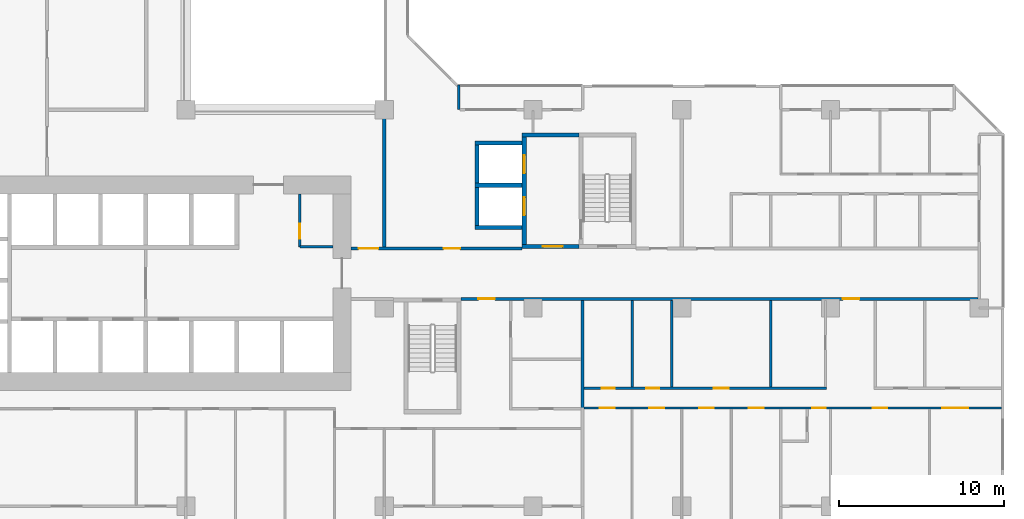
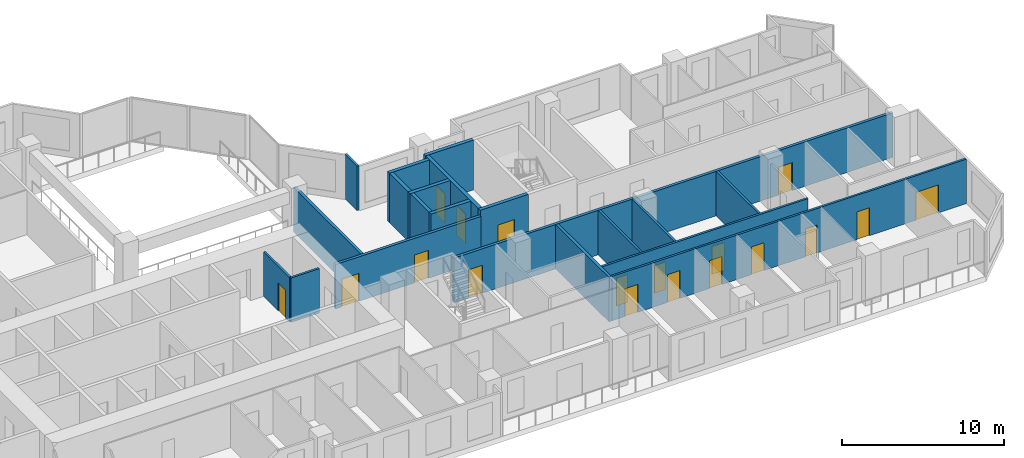
# One storey, part 7 of 16: 20 walls, 18 doors, 18 openings.
"""IFC4 building model written with IfcOpenShell, lengths in metres."""

import ifcopenshell
import ifcopenshell.guid

model = None  # the IFC model being written
_history = None  # IfcOwnerHistory: only IFC2X3 demands one
_inside = {}  # id of a spatial element -> (the spatial element, [elements in it])
_under = {}  # id of a project, library or spatial element -> (it, [spatial elements below it])
_declared = {}  # id of a project -> (the project, [libraries it declares])
_typed = {}  # id of a type object -> (the type object, [elements of that type])
_made_of = {}  # id of a material, layer set ... -> (it, [elements and type objects made of it])


def new_model(schema):
    """Start an empty IFC model of exactly this schema.

    Asked for "IFC4X3", IfcOpenShell would pick the latest addendum, in which some entities
    have other attributes; the version numbers below select the first issue.
    IFC2X3 requires an IfcOwnerHistory on every rooted entity: one is made here for all.
    """
    global model, _history
    if schema == "IFC4X3":
        model = ifcopenshell.file(schema_version=(4, 3, 0, 0))
    else:
        model = ifcopenshell.file(schema=schema)
    _inside.clear()
    _under.clear()
    _declared.clear()
    _typed.clear()
    _made_of.clear()
    _history = None
    if model.schema == "IFC2X3":
        org = make("IfcOrganization", Name="unknown")
        user = make(
            "IfcPersonAndOrganization",
            ThePerson=make("IfcPerson", FamilyName="unknown"),
            TheOrganization=org,
        )
        app = make(
            "IfcApplication",
            ApplicationDeveloper=org,
            Version="unknown",
            ApplicationFullName="unknown",
            ApplicationIdentifier="unknown",
        )
        _history = make(
            "IfcOwnerHistory",
            OwningUser=user,
            OwningApplication=app,
            ChangeAction="ADDED",
            CreationDate=0,
        )
    return model


def make(cls, **values):
    """One entity of the class cls with the attributes given. An attribute that is None is left unset."""
    return model.create_entity(
        cls, **{name: value for name, value in values.items() if value is not None}
    )


def rooted(cls, **values):
    """An entity with a GlobalId (a new one), such as an element, a storey or a relation."""
    return make(cls, GlobalId=ifcopenshell.guid.new(), OwnerHistory=_history, **values)


def si_unit(unit_type, name, prefix=None):
    """IfcSIUnit, for example si_unit("LENGTHUNIT", "METRE", prefix="MILLI")."""
    return make("IfcSIUnit", UnitType=unit_type, Prefix=prefix, Name=name)


def assignment(units):
    """IfcUnitAssignment: the units of a project."""
    return None if units is None else make("IfcUnitAssignment", Units=units)


def point(xyz):
    """IfcCartesianPoint."""
    return None if xyz is None else make("IfcCartesianPoint", Coordinates=xyz)


def direction(xyz):
    """IfcDirection."""
    return None if xyz is None else make("IfcDirection", DirectionRatios=xyz)


def frame(location, z_axis=None, x_axis=None):
    """IfcAxis2Placement3D, a coordinate frame: its origin and axes. An axis left out is left unset."""
    return make(
        "IfcAxis2Placement3D",
        Location=point(location),
        Axis=direction(z_axis),
        RefDirection=direction(x_axis),
    )


def frame_2d(location, x_axis=None):
    """IfcAxis2Placement2D, a coordinate frame in the plane: its origin and x axis."""
    return make(
        "IfcAxis2Placement2D", Location=point(location), RefDirection=direction(x_axis)
    )


def origin():
    """The frame at (0, 0, 0) with its axes left unset."""
    return frame((0.0, 0.0, 0.0))


def place(relative_to, where):
    """IfcLocalPlacement: puts the frame where relative to a parent placement (None: the world)."""
    return make(
        "IfcLocalPlacement", PlacementRelTo=relative_to, RelativePlacement=where
    )


def context(
    kind, dimensions, precision=None, world=None, true_north=None, identifier=None
):
    """IfcGeometricRepresentationContext, for example the 3D "Model" context."""
    return make(
        "IfcGeometricRepresentationContext",
        ContextIdentifier=identifier,
        ContextType=kind,
        CoordinateSpaceDimension=dimensions,
        Precision=precision,
        WorldCoordinateSystem=world,
        TrueNorth=true_north,
    )


def subcontext(parent, identifier, kind, view, scale=None):
    """IfcGeometricRepresentationSubContext, for example "Body" below "Model"."""
    return make(
        "IfcGeometricRepresentationSubContext",
        ContextIdentifier=identifier,
        ContextType=kind,
        ParentContext=parent,
        TargetScale=scale,
        TargetView=view,
    )


def project(units=None, contexts=None):
    """IfcProject with its units and contexts."""
    return rooted(
        "IfcProject",
        Name="project",
        RepresentationContexts=contexts,
        UnitsInContext=assignment(units),
    )


def spatial(cls, under=None, at=None, **own):
    """A site, building, storey or space (cls), placed at a placement, below another one or the project."""
    s = rooted(cls, ObjectPlacement=at, **own)
    if under is not None:
        _under.setdefault(under.id(), (under, []))[1].append(s)
    return s


def profile(cls, at=None, kind="AREA", **sizes):
    """A parametric profile (cls). Its sizes go by their IFC names, for example OverallWidth=200.0."""
    return make(cls, ProfileType=kind, Position=at, **sizes)


def rectangle(**sizes):
    """IfcRectangleProfileDef."""
    return profile("IfcRectangleProfileDef", **sizes)


def extrude(swept, where, along, depth):
    """IfcExtrudedAreaSolid: the profile swept, set in the frame where, extruded along a direction by depth."""
    return make(
        "IfcExtrudedAreaSolid",
        SweptArea=swept,
        Position=where,
        ExtrudedDirection=direction(along),
        Depth=depth,
    )


def shape(context_of_items, identifier, shape_type, items):
    """IfcShapeRepresentation: the items that make up one representation, for example the "Body"."""
    return make(
        "IfcShapeRepresentation",
        ContextOfItems=context_of_items,
        RepresentationIdentifier=identifier,
        RepresentationType=shape_type,
        Items=items,
    )


def material(Name=None, Category=None):
    """IfcMaterial."""
    return make("IfcMaterial", Name=Name, Category=Category)


def layer(
    of_material, thickness, ventilated=None, Name=None, Category=None, Priority=None
):
    """IfcMaterialLayer: one layer of a wall or slab, of a material (None: an air gap)."""
    return make(
        "IfcMaterialLayer",
        Material=of_material,
        LayerThickness=thickness,
        IsVentilated=ventilated,
        Name=Name,
        Category=Category,
        Priority=Priority,
    )


def layer_set(layers, Name=None):
    """IfcMaterialLayerSet."""
    return make("IfcMaterialLayerSet", MaterialLayers=layers, LayerSetName=Name)


def made_of(thing, what):
    """Note that an element or type object is made of a material, layer set ...; save() writes the relation."""
    if what is not None:
        _made_of.setdefault(what.id(), (what, []))[1].append(thing)
    return thing


def type_object(cls, material=None, **own):
    """A type object (cls), such as IfcWallType, which elements share."""
    return made_of(rooted(cls, **own), material)


def element(
    cls,
    number,
    at=None,
    inside=None,
    cuts=None,
    type_object=None,
    material=None,
    context=None,
    identifier="Body",
    shape_type=None,
    held_by="IfcProductDefinitionShape",
    body=None,
    shapes=None,
    **own,
):
    """One element of the class cls, such as IfcWall. Its Tag is "e" and its number.

    at: its placement. inside: the storey or other place that contains it. cuts: it is an
    opening in that element (IfcRelVoidsElement). A single representation is given by context,
    identifier, shape_type and body (its items); several are given by shapes. held_by: the class
    of the entity that holds the representations. save() writes the other relations.
    """
    e = rooted(cls, Tag="e%d" % number, ObjectPlacement=at, **own)
    if body is not None:
        shapes = [shape(context, identifier, shape_type, body)]
    if shapes is not None:
        e.Representation = make(held_by, Representations=shapes)
    if inside is not None:
        _inside.setdefault(inside.id(), (inside, []))[1].append(e)
    if cuts is not None:
        rooted(
            "IfcRelVoidsElement", RelatingBuildingElement=cuts, RelatedOpeningElement=e
        )
    if type_object is not None:
        _typed.setdefault(type_object.id(), (type_object, []))[1].append(e)
    return made_of(e, material)


def fill(opening, filler):
    """IfcRelFillsElement: the door or window that sits in an opening."""
    return rooted(
        "IfcRelFillsElement",
        RelatingOpeningElement=opening,
        RelatedBuildingElement=filler,
    )


def aggregate(whole, parts):
    """IfcRelAggregates: a whole, such as a stair, and the parts it consists of."""
    return rooted("IfcRelAggregates", RelatingObject=whole, RelatedObjects=parts)


def save(model, path):
    """Write the relations noted so far, then the file.

    IfcRelAggregates (storeys below a building ...), IfcRelContainedInSpatialStructure (elements
    in a storey), IfcRelDefinesByType, IfcRelAssociatesMaterial and IfcRelDeclares: one each for
    every whole, place, type object, material and project.
    """
    for whole, parts in _under.values():
        aggregate(whole, parts)
    for where, things in _inside.values():
        rooted(
            "IfcRelContainedInSpatialStructure",
            RelatedElements=things,
            RelatingStructure=where,
        )
    for kind, things in _typed.values():
        rooted("IfcRelDefinesByType", RelatedObjects=things, RelatingType=kind)
    for what, things in _made_of.values():
        rooted("IfcRelAssociatesMaterial", RelatedObjects=things, RelatingMaterial=what)
    for by, libraries in _declared.values():
        rooted("IfcRelDeclares", RelatingContext=by, RelatedDefinitions=libraries)
    model.write(path)


model = new_model("IFC4")

# Units and contexts
model_context = context("Model", 3, precision=1e-05, world=origin(), true_north=direction((0.0, 1.0)))
body_context = subcontext(model_context, "Body", "Model", "MODEL_VIEW")
ifc_project = project(units=[si_unit("LENGTHUNIT", "METRE"), si_unit("AREAUNIT", "SQUARE_METRE"), si_unit("VOLUMEUNIT", "CUBIC_METRE"), si_unit("PLANEANGLEUNIT", "RADIAN"), si_unit("MASSUNIT", "GRAM", prefix="KILO")], contexts=[model_context])

# Site, building, storey
site_placement = place(None, origin())
site = spatial("IfcSite", under=ifc_project, at=site_placement, CompositionType="ELEMENT")
building_placement = place(site_placement, origin())
building = spatial("IfcBuilding", under=site, at=building_placement, Name="Chenar Terraces", CompositionType="ELEMENT")
storey_placement = place(building_placement, frame((0.0, 0.0, 75.14990234375)))
storey = spatial("IfcBuildingStorey", under=building, at=storey_placement, Name="L16", CompositionType="ELEMENT", Elevation=75.14990234375)

# Wall, opening, door
ifc_material_1 = material(Name="Gypsum board on steel studs", Category="steel")
ifc_layer_1 = layer(ifc_material_1, 0.14990234375)
ifc_layer_set_1 = layer_set([ifc_layer_1], Name="Gypsum board on steel studs")
wall_type_1 = type_object("IfcWallType", Name="Core partition 150 gypsum board", PredefinedType="PARTITIONING", material=ifc_layer_set_1)
wall_1_placement = place(storey_placement, frame((30.89990234375, 15.699951171875, 0.0), z_axis=(0.0, 0.0, 1.0), x_axis=(0.0, 1.0, 0.0)))
wall_1 = element("IfcWall", 1, at=wall_1_placement, inside=storey, type_object=wall_type_1, Name="Core partition CP1 vestibule room west wall", PredefinedType="PARTITIONING", context=body_context, shape_type="SweptSolid", body=[
    extrude(rectangle(XDim=3.199951171875, YDim=0.14990234375, at=frame_2d((1.60009765625, 0.0))), origin(), (0.0, 0.0, 1.0), 3.35009765625),
])
opening_1_placement = place(wall_1_placement, frame((0.5, 0.0, 0.0)))
opening_1 = element("IfcOpeningElement", 2, at=opening_1_placement, cuts=wall_1, Name="Opening DL16-C13", PredefinedType="OPENING", context=body_context, shape_type="SweptSolid", body=[
    extrude(rectangle(XDim=0.89990234375, YDim=2.10009765625, at=frame_2d((0.449951171875, 1.050048828125))), frame((0.0, 0.0849609375, 0.0), z_axis=(0.0, -1.0, 0.0), x_axis=(1.0, 0.0, 0.0)), (0.0, 0.0, 1.0), 0.169921875),
])
ifc_material_2 = material(Name="Steel-framed fire-resisting door leaf", Category="steel")
door_type_1 = type_object("IfcDoorType", Name="Riser fire door FD60 900 x 2100", OperationType="SINGLE_SWING_LEFT", PredefinedType="DOOR", material=ifc_material_2)
door_1_placement = place(opening_1_placement, frame((0.89990234375, 0.0, 0.0), z_axis=(0.0, 0.0, 1.0), x_axis=(-1.0, 0.0, 0.0)))
door_1 = element("IfcDoor", 3, at=door_1_placement, inside=storey, type_object=door_type_1, Name="Core room door DL16-C13", OperationType="SINGLE_SWING_RIGHT", OverallHeight=2.10009765625, OverallWidth=0.89990234375, PredefinedType="DOOR", context=body_context, shape_type="SweptSolid", body=[
    extrude(rectangle(XDim=0.89990234375, YDim=2.10009765625, at=frame_2d((0.449951171875, 1.050048828125))), frame((0.0, 0.02490234375, 0.0), z_axis=(0.0, -1.0, 0.0), x_axis=(1.0, 0.0, 0.0)), (0.0, 0.0, 1.0), 0.050048828125),
])
fill(opening_1, door_1)

# Wall
wall_2_placement = place(storey_placement, frame((30.89990234375, 15.699951171875, 0.0), z_axis=(0.0, 0.0, 1.0), x_axis=(1.0, 0.0, 0.0)))
element("IfcWall", 4, at=wall_2_placement, inside=storey, type_object=wall_type_1, Name="Core partition CP1 vestibule room south wall", PredefinedType="PARTITIONING", context=body_context, shape_type="SweptSolid", body=[
    extrude(rectangle(XDim=2.0, YDim=0.14990234375, at=frame_2d((1.0, 0.0))), origin(), (0.0, 0.0, 1.0), 3.35009765625),
])

# Wall, opening, door
ifc_material_3 = material(Name="Concrete C70/85", Category="concrete")
ifc_layer_2 = layer(ifc_material_3, 0.25)
ifc_layer_set_2 = layer_set([ifc_layer_2], Name="Concrete C70/85")
wall_type_2 = type_object("IfcWallType", Name="Core wall 250 Concrete C70/85", PredefinedType="SHEAR", material=ifc_layer_set_2)
wall_3_placement = place(storey_placement, frame((44.35009765625, 15.72509765625, 0.0), z_axis=(0.0, 0.0, 1.0), x_axis=(1.0, 0.0, 0.0)))
wall_3 = element("IfcWall", 5, at=wall_3_placement, inside=storey, type_object=wall_type_2, Name="Core wall F3_LS L16", PredefinedType="SHEAR", context=body_context, shape_type="SweptSolid", body=[
    extrude(rectangle(XDim=3.4248046875, YDim=0.25, at=frame_2d((1.71240234375, 0.0))), origin(), (0.0, 0.0, 1.0), 3.75),
])
opening_2_placement = place(wall_3_placement, frame((1.25, 0.0, 0.0)))
opening_2 = element("IfcOpeningElement", 6, at=opening_2_placement, cuts=wall_3, Name="Opening DL16-C10", PredefinedType="OPENING", context=body_context, shape_type="SweptSolid", body=[
    extrude(rectangle(XDim=1.199951171875, YDim=2.199951171875, at=frame_2d((0.60009765625, 1.10009765625))), frame((0.0, 0.135009765625, 0.0), z_axis=(0.0, -1.0, 0.0), x_axis=(1.0, 0.0, 0.0)), (0.0, 0.0, 1.0), 0.27001953125),
])
ifc_material_4 = material(Name="Steel-framed fire-resisting door leaf", Category="steel")
door_type_2 = type_object("IfcDoorType", Name="Lobby fire door FD60 1200 x 2200", OperationType="SINGLE_SWING_LEFT", PredefinedType="DOOR", material=ifc_material_4)
door_2_placement = place(opening_2_placement, origin())
door_2 = element("IfcDoor", 7, at=door_2_placement, inside=storey, type_object=door_type_2, Name="Core door DL16-C10", OperationType="SINGLE_SWING_RIGHT", OverallHeight=2.199951171875, OverallWidth=1.199951171875, PredefinedType="DOOR", context=body_context, shape_type="SweptSolid", body=[
    extrude(rectangle(XDim=1.199951171875, YDim=2.199951171875, at=frame_2d((0.60009765625, 1.10009765625))), frame((0.0, 0.02490234375, 0.0), z_axis=(0.0, -1.0, 0.0), x_axis=(1.0, 0.0, 0.0)), (0.0, 0.0, 1.0), 0.050048828125),
])
fill(opening_2, door_2)

# Wall
wall_4_placement = place(storey_placement, frame((44.35009765625, 22.47509765625, 0.0), z_axis=(0.0, 0.0, 1.0), x_axis=(1.0, 0.0, 0.0)))
element("IfcWall", 8, at=wall_4_placement, inside=storey, type_object=wall_type_2, Name="Core wall F3_LN L16", PredefinedType="SHEAR", context=body_context, shape_type="SweptSolid", body=[
    extrude(rectangle(XDim=3.4248046875, YDim=0.25, at=frame_2d((1.71240234375, 0.0))), origin(), (0.0, 0.0, 1.0), 3.75),
])

# Wall, openings, doors
wall_5_placement = place(storey_placement, frame((44.47509765625, 15.85009765625, 0.0), z_axis=(0.0, 0.0, 1.0), x_axis=(0.0, 1.0, 0.0)))
wall_5 = element("IfcWall", 9, at=wall_5_placement, inside=storey, type_object=wall_type_2, Name="Core wall F3_LW L16", PredefinedType="SHEAR", context=body_context, shape_type="SweptSolid", body=[
    extrude(rectangle(XDim=6.5, YDim=0.25, at=frame_2d((3.25, 0.0))), origin(), (0.0, 0.0, 1.0), 3.75),
])
opening_3_placement = place(wall_5_placement, frame((1.75, 0.0, 0.0)))
opening_3 = element("IfcOpeningElement", 10, at=opening_3_placement, cuts=wall_5, Name="Opening DL16-LD8", PredefinedType="OPENING", context=body_context, shape_type="SweptSolid", body=[
    extrude(rectangle(XDim=1.10009765625, YDim=2.199951171875, at=frame_2d((0.550048828125, 1.10009765625))), frame((0.0, 0.135009765625, 0.0), z_axis=(0.0, -1.0, 0.0), x_axis=(1.0, 0.0, 0.0)), (0.0, 0.0, 1.0), 0.27001953125),
])
opening_4_placement = place(wall_5_placement, frame((4.300048828125, 0.0, 0.0)))
opening_4 = element("IfcOpeningElement", 11, at=opening_4_placement, cuts=wall_5, Name="Opening DL16-LD9", PredefinedType="OPENING", context=body_context, shape_type="SweptSolid", body=[
    extrude(rectangle(XDim=1.10009765625, YDim=2.199951171875, at=frame_2d((0.550048828125, 1.10009765625))), frame((0.0, 0.135009765625, 0.0), z_axis=(0.0, -1.0, 0.0), x_axis=(1.0, 0.0, 0.0)), (0.0, 0.0, 1.0), 0.27001953125),
])
ifc_material_5 = material(Name="Stainless steel", Category="steel")
door_type_3 = type_object("IfcDoorType", Name="Lift landing door 1100 x 2200 sliding", OperationType="DOUBLE_DOOR_SLIDING", PredefinedType="DOOR", material=ifc_material_5)
door_3_placement = place(opening_3_placement, origin())
door_3 = element("IfcDoor", 12, at=door_3_placement, inside=storey, type_object=door_type_3, Name="Landing door F3", OperationType="DOUBLE_DOOR_SLIDING", OverallHeight=2.199951171875, OverallWidth=1.10009765625, PredefinedType="DOOR", context=body_context, shape_type="SweptSolid", body=[
    extrude(rectangle(XDim=1.10009765625, YDim=2.199951171875, at=frame_2d((0.550048828125, 1.10009765625))), frame((0.0, 0.02490234375, 0.0), z_axis=(0.0, -1.0, 0.0), x_axis=(1.0, 0.0, 0.0)), (0.0, 0.0, 1.0), 0.050048828125),
])
fill(opening_3, door_3)
door_4_placement = place(opening_4_placement, origin())
door_4 = element("IfcDoor", 13, at=door_4_placement, inside=storey, type_object=door_type_3, Name="Landing door F4", OperationType="DOUBLE_DOOR_SLIDING", OverallHeight=2.199951171875, OverallWidth=1.10009765625, PredefinedType="DOOR", context=body_context, shape_type="SweptSolid", body=[
    extrude(rectangle(XDim=1.10009765625, YDim=2.199951171875, at=frame_2d((0.550048828125, 1.10009765625))), frame((0.0, 0.02490234375, 0.0), z_axis=(0.0, -1.0, 0.0), x_axis=(1.0, 0.0, 0.0)), (0.0, 0.0, 1.0), 0.050048828125),
])
fill(opening_4, door_4)

# Walls
for number, where, z_axis, x_axis, name in (
    (14, (41.5, 16.875, 0.0), (0.0, 0.0, 1.0), (1.0, 0.0, 0.0), "Core wall F3_SS L16"),
    (15, (41.5, 19.425048828125, 0.0), (0.0, 0.0, 1.0), (1.0, 0.0, 0.0), "Core wall F3_SM L16"),
    (16, (41.5, 21.97509765625, 0.0), (0.0, 0.0, 1.0), (1.0, 0.0, 0.0), "Core wall F4_SN L16"),
):
    element("IfcWall", number, at=place(storey_placement, frame(where, z_axis=z_axis, x_axis=x_axis)), inside=storey, type_object=wall_type_2, Name=name, PredefinedType="SHEAR", context=body_context, shape_type="SweptSolid", body=[
        extrude(rectangle(XDim=2.85009765625, YDim=0.25, at=frame_2d((1.425048828125, 0.0))), origin(), (0.0, 0.0, 1.0), 3.75),
    ])
for number, where, z_axis, x_axis, name in (
    (17, (41.625, 17.0, 0.0), (0.0, 0.0, 1.0), (0.0, 1.0, 0.0), "Core wall F3_SW L16"),
    (18, (41.625, 19.550048828125, 0.0), (0.0, 0.0, 1.0), (0.0, 1.0, 0.0), "Core wall F4_SW L16"),
):
    element("IfcWall", number, at=place(storey_placement, frame(where, z_axis=z_axis, x_axis=x_axis)), inside=storey, type_object=wall_type_2, Name=name, PredefinedType="SHEAR", context=body_context, shape_type="SweptSolid", body=[
        extrude(rectangle(XDim=2.300048828125, YDim=0.25, at=frame_2d((1.14990234375, 0.0))), origin(), (0.0, 0.0, 1.0), 3.75),
    ])

# Wall, openings, doors
ifc_material_6 = material(Name="Gypsum board on steel studs with fire boards", Category="steel")
ifc_layer_3 = layer(ifc_material_6, 0.199951171875)
ifc_layer_set_3 = layer_set([ifc_layer_3], Name="Gypsum board on steel studs with fire boards")
wall_type_3 = type_object("IfcWallType", Name="Corridor wall 200", PredefinedType="PARTITIONING", material=ifc_layer_set_3)
wall_6_placement = place(storey_placement, frame((34.0, 15.60009765625, 0.0), z_axis=(0.0, 0.0, 1.0), x_axis=(1.0, 0.0, 0.0)))
wall_6 = element("IfcWall", 19, at=wall_6_placement, inside=storey, type_object=wall_type_3, Name="Partition L16-064", PredefinedType="PARTITIONING", context=body_context, shape_type="SweptSolid", body=[
    extrude(rectangle(XDim=10.35009765625, YDim=0.199951171875, at=frame_2d((5.175048828125, 0.0))), origin(), (0.0, 0.0, 1.0), 3.35009765625),
])
opening_5_placement = place(wall_6_placement, frame((5.60009765625, 0.0, 0.0)))
opening_5 = element("IfcOpeningElement", 20, at=opening_5_placement, cuts=wall_6, Name="Opening DL16-3", PredefinedType="OPENING", context=body_context, shape_type="SweptSolid", body=[
    extrude(rectangle(XDim=1.0, YDim=2.10009765625, at=frame_2d((0.5, 1.050048828125))), frame((0.0, 0.10986328125, 0.0), z_axis=(0.0, -1.0, 0.0), x_axis=(1.0, 0.0, 0.0)), (0.0, 0.0, 1.0), 0.219970703125),
])
opening_6_placement = place(wall_6_placement, frame((0.449951171875, 0.0, 0.0)))
opening_6 = element("IfcOpeningElement", 21, at=opening_6_placement, cuts=wall_6, Name="Opening DL16-52", PredefinedType="OPENING", context=body_context, shape_type="SweptSolid", body=[
    extrude(rectangle(XDim=1.199951171875, YDim=2.10009765625, at=frame_2d((0.60009765625, 1.050048828125))), frame((0.0, 0.10986328125, 0.0), z_axis=(0.0, -1.0, 0.0), x_axis=(1.0, 0.0, 0.0)), (0.0, 0.0, 1.0), 0.219970703125),
])
ifc_material_7 = material(Name="Steel-framed fire-resisting door leaf", Category="steel")
door_type_4 = type_object("IfcDoorType", Name="Fire door FD60 1000 x 2100", OperationType="SINGLE_SWING_LEFT", PredefinedType="DOOR", material=ifc_material_7)
door_5_placement = place(opening_5_placement, origin())
door_5 = element("IfcDoor", 22, at=door_5_placement, inside=storey, type_object=door_type_4, Name="Door DL16-3", OperationType="SINGLE_SWING_RIGHT", OverallHeight=2.10009765625, OverallWidth=1.0, PredefinedType="DOOR", context=body_context, shape_type="SweptSolid", body=[
    extrude(rectangle(XDim=1.0, YDim=2.10009765625, at=frame_2d((0.5, 1.050048828125))), frame((0.0, 0.02490234375, 0.0), z_axis=(0.0, -1.0, 0.0), x_axis=(1.0, 0.0, 0.0)), (0.0, 0.0, 1.0), 0.050048828125),
])
fill(opening_5, door_5)
ifc_material_8 = material(Name="Steel-framed fire-resisting door leaf", Category="steel")
door_type_5 = type_object("IfcDoorType", Name="Fire door FD60 1200 x 2100", OperationType="SINGLE_SWING_LEFT", PredefinedType="DOOR", material=ifc_material_8)
door_6_placement = place(opening_6_placement, origin())
door_6 = element("IfcDoor", 23, at=door_6_placement, inside=storey, type_object=door_type_5, Name="Door DL16-52", OperationType="SINGLE_SWING_RIGHT", OverallHeight=2.10009765625, OverallWidth=1.199951171875, PredefinedType="DOOR", context=body_context, shape_type="SweptSolid", body=[
    extrude(rectangle(XDim=1.199951171875, YDim=2.10009765625, at=frame_2d((0.60009765625, 1.050048828125))), frame((0.0, 0.02490234375, 0.0), z_axis=(0.0, -1.0, 0.0), x_axis=(1.0, 0.0, 0.0)), (0.0, 0.0, 1.0), 0.050048828125),
])
fill(opening_6, door_6)

# Wall
wall_7_placement = place(storey_placement, frame((36.0, 15.699951171875, 0.0), z_axis=(0.0, 0.0, 1.0), x_axis=(0.0, 1.0, 0.0)))
element("IfcWall", 24, at=wall_7_placement, inside=storey, type_object=wall_type_3, Name="Partition L16-066", PredefinedType="PARTITIONING", context=body_context, shape_type="SweptSolid", body=[
    extrude(rectangle(XDim=8.300048828125, YDim=0.199951171875, at=frame_2d((4.14990234375, 0.0))), origin(), (0.0, 0.0, 1.0), 3.35009765625),
])

# Wall, openings, doors
wall_8_placement = place(storey_placement, frame((40.64990234375, 12.550048828125, 0.0), z_axis=(0.0, 0.0, 1.0), x_axis=(1.0, 0.0, 0.0)))
wall_8 = element("IfcWall", 25, at=wall_8_placement, inside=storey, type_object=wall_type_3, Name="Partition L16-068", PredefinedType="PARTITIONING", context=body_context, shape_type="SweptSolid", body=[
    extrude(rectangle(XDim=31.276123046875, YDim=0.199951171875, at=frame_2d((15.63818359375, 0.0))), origin(), (0.0, 0.0, 1.0), 3.35009765625),
])
opening_7_placement = place(wall_8_placement, frame((23.10009765625, 0.0, 0.0)))
opening_7 = element("IfcOpeningElement", 26, at=opening_7_placement, cuts=wall_8, Name="Opening DL16-19", PredefinedType="OPENING", context=body_context, shape_type="SweptSolid", body=[
    extrude(rectangle(XDim=1.0, YDim=2.10009765625, at=frame_2d((0.5, 1.050048828125))), frame((0.0, 0.10986328125, 0.0), z_axis=(0.0, -1.0, 0.0), x_axis=(1.0, 0.0, 0.0)), (0.0, 0.0, 1.0), 0.219970703125),
])
opening_8_placement = place(wall_8_placement, frame((1.050048828125, 0.0, 0.0)))
opening_8 = element("IfcOpeningElement", 27, at=opening_8_placement, cuts=wall_8, Name="Opening DL16-66", PredefinedType="OPENING", context=body_context, shape_type="SweptSolid", body=[
    extrude(rectangle(XDim=1.0, YDim=2.10009765625, at=frame_2d((0.5, 1.050048828125))), frame((0.0, 0.10986328125, 0.0), z_axis=(0.0, -1.0, 0.0), x_axis=(1.0, 0.0, 0.0)), (0.0, 0.0, 1.0), 0.219970703125),
])
ifc_material_9 = material(Name="Steel-framed fire-resisting door leaf", Category="steel")
door_type_6 = type_object("IfcDoorType", Name="Fire door FD30S 1000 x 2100", OperationType="SINGLE_SWING_LEFT", PredefinedType="DOOR", material=ifc_material_9)
door_7_placement = place(opening_7_placement, frame((1.0, 0.0, 0.0), z_axis=(0.0, 0.0, 1.0), x_axis=(-1.0, 0.0, 0.0)))
door_7 = element("IfcDoor", 28, at=door_7_placement, inside=storey, type_object=door_type_6, Name="Door DL16-19", OperationType="SINGLE_SWING_RIGHT", OverallHeight=2.10009765625, OverallWidth=1.0, PredefinedType="DOOR", context=body_context, shape_type="SweptSolid", body=[
    extrude(rectangle(XDim=1.0, YDim=2.10009765625, at=frame_2d((0.5, 1.050048828125))), frame((0.0, 0.02490234375, 0.0), z_axis=(0.0, -1.0, 0.0), x_axis=(1.0, 0.0, 0.0)), (0.0, 0.0, 1.0), 0.050048828125),
])
fill(opening_7, door_7)
door_8_placement = place(opening_8_placement, origin())
door_8 = element("IfcDoor", 29, at=door_8_placement, inside=storey, type_object=door_type_6, Name="Door DL16-66", OperationType="SINGLE_SWING_RIGHT", OverallHeight=2.10009765625, OverallWidth=1.0, PredefinedType="DOOR", context=body_context, shape_type="SweptSolid", body=[
    extrude(rectangle(XDim=1.0, YDim=2.10009765625, at=frame_2d((0.5, 1.050048828125))), frame((0.0, 0.02490234375, 0.0), z_axis=(0.0, -1.0, 0.0), x_axis=(1.0, 0.0, 0.0)), (0.0, 0.0, 1.0), 0.050048828125),
])
fill(opening_8, door_8)

# Walls
ifc_material_10 = material(Name="Terracotta cladding on insulated backing", Category="masonry")
ifc_layer_4 = layer(ifc_material_10, 0.14990234375)
ifc_layer_set_4 = layer_set([ifc_layer_4], Name="Terracotta cladding on insulated backing")
wall_type_4 = type_object("IfcWallType", Name="Loggia return wall 150", PredefinedType="SOLIDWALL", material=ifc_layer_set_4)
wall_9_placement = place(storey_placement, frame((40.5, 25.5, 0.0), z_axis=(0.0, 0.0, 1.0), x_axis=(0.0, -1.0, 0.0)))
element("IfcWall", 30, at=wall_9_placement, inside=storey, type_object=wall_type_4, Name="Loggia return wall", PredefinedType="SOLIDWALL", context=body_context, shape_type="SweptSolid", body=[
    extrude(rectangle(XDim=1.5, YDim=0.14990234375, at=frame_2d((0.75, 0.0))), origin(), (0.0, 0.0, 1.0), 3.35009765625),
])
ifc_material_11 = material(Name="Twin gypsum board on steel studs with mineral wool", Category="steel")
ifc_layer_5 = layer(ifc_material_11, 0.199951171875)
ifc_layer_set_5 = layer_set([ifc_layer_5], Name="Twin gypsum board on steel studs with mineral wool")
wall_type_5 = type_object("IfcWallType", Name="Unit demising wall 200", PredefinedType="PARTITIONING", material=ifc_layer_set_5)
wall_10_placement = place(storey_placement, frame((48.0, 5.875, 0.0), z_axis=(0.0, 0.0, 1.0), x_axis=(0.0, 1.0, 0.0)))
element("IfcWall", 31, at=wall_10_placement, inside=storey, type_object=wall_type_5, Name="Partition L16-074", PredefinedType="PARTITIONING", context=body_context, shape_type="SweptSolid", body=[
    extrude(rectangle(XDim=6.574951171875, YDim=0.199951171875, at=frame_2d((3.28759765625, 0.0))), origin(), (0.0, 0.0, 1.0), 3.35009765625),
])

# Wall, openings, doors
ifc_material_12 = material(Name="Moisture-resistant gypsum board on steel studs", Category="steel")
ifc_layer_6 = layer(ifc_material_12, 0.14990234375)
ifc_layer_set_6 = layer_set([ifc_layer_6], Name="Moisture-resistant gypsum board on steel studs")
wall_type_6 = type_object("IfcWallType", Name="Wet-room partition 150", PredefinedType="PARTITIONING", material=ifc_layer_set_6)
wall_11_placement = place(storey_placement, frame((48.10009765625, 5.949951171875, 0.0), z_axis=(0.0, 0.0, 1.0), x_axis=(1.0, 0.0, 0.0)))
wall_11 = element("IfcWall", 32, at=wall_11_placement, inside=storey, type_object=wall_type_6, Name="Partition L16-075", PredefinedType="PARTITIONING", context=body_context, shape_type="SweptSolid", body=[
    extrude(rectangle(XDim=25.25, YDim=0.14990234375, at=frame_2d((12.625, 0.0))), origin(), (0.0, 0.0, 1.0), 3.35009765625),
])
opening_9_placement = place(wall_11_placement, frame((0.949951171875, 0.0, 0.0)))
opening_9 = element("IfcOpeningElement", 33, at=opening_9_placement, cuts=wall_11, Name="Opening DL16-15", PredefinedType="OPENING", context=body_context, shape_type="SweptSolid", body=[
    extrude(rectangle(XDim=0.89990234375, YDim=2.10009765625, at=frame_2d((0.449951171875, 1.050048828125))), frame((0.0, 0.0849609375, 0.0), z_axis=(0.0, -1.0, 0.0), x_axis=(1.0, 0.0, 0.0)), (0.0, 0.0, 1.0), 0.169921875),
])
opening_10_placement = place(wall_11_placement, frame((3.949951171875, 0.0, 0.0)))
opening_10 = element("IfcOpeningElement", 34, at=opening_10_placement, cuts=wall_11, Name="Opening DL16-16", PredefinedType="OPENING", context=body_context, shape_type="SweptSolid", body=[
    extrude(rectangle(XDim=0.89990234375, YDim=2.10009765625, at=frame_2d((0.449951171875, 1.050048828125))), frame((0.0, 0.0849609375, 0.0), z_axis=(0.0, -1.0, 0.0), x_axis=(1.0, 0.0, 0.0)), (0.0, 0.0, 1.0), 0.169921875),
])
opening_11_placement = place(wall_11_placement, frame((6.949951171875, 0.0, 0.0)))
opening_11 = element("IfcOpeningElement", 35, at=opening_11_placement, cuts=wall_11, Name="Opening DL16-17", PredefinedType="OPENING", context=body_context, shape_type="SweptSolid", body=[
    extrude(rectangle(XDim=0.89990234375, YDim=2.10009765625, at=frame_2d((0.449951171875, 1.050048828125))), frame((0.0, 0.0849609375, 0.0), z_axis=(0.0, -1.0, 0.0), x_axis=(1.0, 0.0, 0.0)), (0.0, 0.0, 1.0), 0.169921875),
])
opening_12_placement = place(wall_11_placement, frame((9.949951171875, 0.0, 0.0)))
opening_12 = element("IfcOpeningElement", 36, at=opening_12_placement, cuts=wall_11, Name="Opening DL16-18", PredefinedType="OPENING", context=body_context, shape_type="SweptSolid", body=[
    extrude(rectangle(XDim=0.89990234375, YDim=2.10009765625, at=frame_2d((0.449951171875, 1.050048828125))), frame((0.0, 0.0849609375, 0.0), z_axis=(0.0, -1.0, 0.0), x_axis=(1.0, 0.0, 0.0)), (0.0, 0.0, 1.0), 0.169921875),
])
opening_13_placement = place(wall_11_placement, frame((17.449951171875, 0.0, 0.0)))
opening_13 = element("IfcOpeningElement", 37, at=opening_13_placement, cuts=wall_11, Name="Opening DL16-24", PredefinedType="OPENING", context=body_context, shape_type="SweptSolid", body=[
    extrude(rectangle(XDim=0.89990234375, YDim=2.10009765625, at=frame_2d((0.449951171875, 1.050048828125))), frame((0.0, 0.0849609375, 0.0), z_axis=(0.0, -1.0, 0.0), x_axis=(1.0, 0.0, 0.0)), (0.0, 0.0, 1.0), 0.169921875),
])
opening_14_placement = place(wall_11_placement, frame((13.800048828125, 0.0, 0.0)))
opening_14 = element("IfcOpeningElement", 38, at=opening_14_placement, cuts=wall_11, Name="Opening DL16-25", PredefinedType="OPENING", context=body_context, shape_type="SweptSolid", body=[
    extrude(rectangle(XDim=0.800048828125, YDim=2.10009765625, at=frame_2d((0.39990234375, 1.050048828125))), frame((0.0, 0.0849609375, 0.0), z_axis=(0.0, -1.0, 0.0), x_axis=(1.0, 0.0, 0.0)), (0.0, 0.0, 1.0), 0.169921875),
])
opening_15_placement = place(wall_11_placement, frame((21.64990234375, 0.0, 0.0)))
opening_15 = element("IfcOpeningElement", 39, at=opening_15_placement, cuts=wall_11, Name="Opening DL16-27", PredefinedType="OPENING", context=body_context, shape_type="SweptSolid", body=[
    extrude(rectangle(XDim=1.60009765625, YDim=2.10009765625, at=frame_2d((0.800048828125, 1.050048828125))), frame((0.0, 0.0849609375, 0.0), z_axis=(0.0, -1.0, 0.0), x_axis=(1.0, 0.0, 0.0)), (0.0, 0.0, 1.0), 0.169921875),
])
ifc_material_13 = material(Name="Veneered timber door leaf", Category="wood")
door_type_7 = type_object("IfcDoorType", Name="Door 800 x 2100", OperationType="SINGLE_SWING_LEFT", PredefinedType="DOOR", material=ifc_material_13)
door_9_placement = place(opening_14_placement, frame((0.800048828125, 0.0, 0.0), z_axis=(0.0, 0.0, 1.0), x_axis=(-1.0, 0.0, 0.0)))
door_9 = element("IfcDoor", 40, at=door_9_placement, inside=storey, type_object=door_type_7, Name="Door DL16-25", OperationType="SINGLE_SWING_LEFT", OverallHeight=2.10009765625, OverallWidth=0.800048828125, PredefinedType="DOOR", context=body_context, shape_type="SweptSolid", body=[
    extrude(rectangle(XDim=0.800048828125, YDim=2.10009765625, at=frame_2d((0.39990234375, 1.050048828125))), frame((0.0, 0.02490234375, 0.0), z_axis=(0.0, -1.0, 0.0), x_axis=(1.0, 0.0, 0.0)), (0.0, 0.0, 1.0), 0.050048828125),
])
fill(opening_14, door_9)
ifc_material_14 = material(Name="Veneered timber door leaf", Category="wood")
door_type_8 = type_object("IfcDoorType", Name="Door 900 x 2100", OperationType="SINGLE_SWING_LEFT", PredefinedType="DOOR", material=ifc_material_14)
door_10_placement = place(opening_9_placement, frame((0.89990234375, 0.0, 0.0), z_axis=(0.0, 0.0, 1.0), x_axis=(-1.0, 0.0, 0.0)))
door_10 = element("IfcDoor", 41, at=door_10_placement, inside=storey, type_object=door_type_8, Name="Door DL16-15", OperationType="SINGLE_SWING_LEFT", OverallHeight=2.10009765625, OverallWidth=0.89990234375, PredefinedType="DOOR", context=body_context, shape_type="SweptSolid", body=[
    extrude(rectangle(XDim=0.89990234375, YDim=2.10009765625, at=frame_2d((0.449951171875, 1.050048828125))), frame((0.0, 0.02490234375, 0.0), z_axis=(0.0, -1.0, 0.0), x_axis=(1.0, 0.0, 0.0)), (0.0, 0.0, 1.0), 0.050048828125),
])
fill(opening_9, door_10)
door_11_placement = place(opening_10_placement, frame((0.89990234375, 0.0, 0.0), z_axis=(0.0, 0.0, 1.0), x_axis=(-1.0, 0.0, 0.0)))
door_11 = element("IfcDoor", 42, at=door_11_placement, inside=storey, type_object=door_type_8, Name="Door DL16-16", OperationType="SINGLE_SWING_LEFT", OverallHeight=2.10009765625, OverallWidth=0.89990234375, PredefinedType="DOOR", context=body_context, shape_type="SweptSolid", body=[
    extrude(rectangle(XDim=0.89990234375, YDim=2.10009765625, at=frame_2d((0.449951171875, 1.050048828125))), frame((0.0, 0.02490234375, 0.0), z_axis=(0.0, -1.0, 0.0), x_axis=(1.0, 0.0, 0.0)), (0.0, 0.0, 1.0), 0.050048828125),
])
fill(opening_10, door_11)
door_12_placement = place(opening_11_placement, frame((0.89990234375, 0.0, 0.0), z_axis=(0.0, 0.0, 1.0), x_axis=(-1.0, 0.0, 0.0)))
door_12 = element("IfcDoor", 43, at=door_12_placement, inside=storey, type_object=door_type_8, Name="Door DL16-17", OperationType="SINGLE_SWING_LEFT", OverallHeight=2.10009765625, OverallWidth=0.89990234375, PredefinedType="DOOR", context=body_context, shape_type="SweptSolid", body=[
    extrude(rectangle(XDim=0.89990234375, YDim=2.10009765625, at=frame_2d((0.449951171875, 1.050048828125))), frame((0.0, 0.02490234375, 0.0), z_axis=(0.0, -1.0, 0.0), x_axis=(1.0, 0.0, 0.0)), (0.0, 0.0, 1.0), 0.050048828125),
])
fill(opening_11, door_12)
door_13_placement = place(opening_12_placement, frame((0.89990234375, 0.0, 0.0), z_axis=(0.0, 0.0, 1.0), x_axis=(-1.0, 0.0, 0.0)))
door_13 = element("IfcDoor", 44, at=door_13_placement, inside=storey, type_object=door_type_8, Name="Door DL16-18", OperationType="SINGLE_SWING_LEFT", OverallHeight=2.10009765625, OverallWidth=0.89990234375, PredefinedType="DOOR", context=body_context, shape_type="SweptSolid", body=[
    extrude(rectangle(XDim=0.89990234375, YDim=2.10009765625, at=frame_2d((0.449951171875, 1.050048828125))), frame((0.0, 0.02490234375, 0.0), z_axis=(0.0, -1.0, 0.0), x_axis=(1.0, 0.0, 0.0)), (0.0, 0.0, 1.0), 0.050048828125),
])
fill(opening_12, door_13)
door_14_placement = place(opening_13_placement, frame((0.89990234375, 0.0, 0.0), z_axis=(0.0, 0.0, 1.0), x_axis=(-1.0, 0.0, 0.0)))
door_14 = element("IfcDoor", 45, at=door_14_placement, inside=storey, type_object=door_type_8, Name="Door DL16-24", OperationType="SINGLE_SWING_LEFT", OverallHeight=2.10009765625, OverallWidth=0.89990234375, PredefinedType="DOOR", context=body_context, shape_type="SweptSolid", body=[
    extrude(rectangle(XDim=0.89990234375, YDim=2.10009765625, at=frame_2d((0.449951171875, 1.050048828125))), frame((0.0, 0.02490234375, 0.0), z_axis=(0.0, -1.0, 0.0), x_axis=(1.0, 0.0, 0.0)), (0.0, 0.0, 1.0), 0.050048828125),
])
fill(opening_13, door_14)
ifc_material_15 = material(Name="Veneered timber door leaf", Category="wood")
door_type_9 = type_object("IfcDoorType", Name="Double door 1600 x 2100", OperationType="DOUBLE_DOOR_SINGLE_SWING", PredefinedType="DOOR", material=ifc_material_15)
door_15_placement = place(opening_15_placement, frame((1.60009765625, 0.0, 0.0), z_axis=(0.0, 0.0, 1.0), x_axis=(-1.0, 0.0, 0.0)))
door_15 = element("IfcDoor", 46, at=door_15_placement, inside=storey, type_object=door_type_9, Name="Door DL16-27", OperationType="DOUBLE_DOOR_SINGLE_SWING", OverallHeight=2.10009765625, OverallWidth=1.60009765625, PredefinedType="DOOR", context=body_context, shape_type="SweptSolid", body=[
    extrude(rectangle(XDim=1.60009765625, YDim=2.10009765625, at=frame_2d((0.800048828125, 1.050048828125))), frame((0.0, 0.02490234375, 0.0), z_axis=(0.0, -1.0, 0.0), x_axis=(1.0, 0.0, 0.0)), (0.0, 0.0, 1.0), 0.050048828125),
])
fill(opening_15, door_15)

wall_12_placement = place(storey_placement, frame((48.10009765625, 7.14990234375, 0.0), z_axis=(0.0, 0.0, 1.0), x_axis=(1.0, 0.0, 0.0)))
wall_12 = element("IfcWall", 47, at=wall_12_placement, inside=storey, type_object=wall_type_6, Name="Partition L16-076", PredefinedType="PARTITIONING", context=body_context, shape_type="SweptSolid", body=[
    extrude(rectangle(XDim=14.6748046875, YDim=0.14990234375, at=frame_2d((7.33740234375, 0.0))), origin(), (0.0, 0.0, 1.0), 3.35009765625),
])
opening_16_placement = place(wall_12_placement, frame((3.75, 0.0, 0.0)))
opening_16 = element("IfcOpeningElement", 48, at=opening_16_placement, cuts=wall_12, Name="Opening DL16-14", PredefinedType="OPENING", context=body_context, shape_type="SweptSolid", body=[
    extrude(rectangle(XDim=0.800048828125, YDim=2.10009765625, at=frame_2d((0.39990234375, 1.050048828125))), frame((0.0, 0.0849609375, 0.0), z_axis=(0.0, -1.0, 0.0), x_axis=(1.0, 0.0, 0.0)), (0.0, 0.0, 1.0), 0.169921875),
])
opening_17_placement = place(wall_12_placement, frame((7.85009765625, 0.0, 0.0)))
opening_17 = element("IfcOpeningElement", 49, at=opening_17_placement, cuts=wall_12, Name="Opening DL16-20", PredefinedType="OPENING", context=body_context, shape_type="SweptSolid", body=[
    extrude(rectangle(XDim=0.89990234375, YDim=2.10009765625, at=frame_2d((0.449951171875, 1.050048828125))), frame((0.0, 0.0849609375, 0.0), z_axis=(0.0, -1.0, 0.0), x_axis=(1.0, 0.0, 0.0)), (0.0, 0.0, 1.0), 0.169921875),
])
opening_18_placement = place(wall_12_placement, frame((1.050048828125, 0.0, 0.0)))
opening_18 = element("IfcOpeningElement", 50, at=opening_18_placement, cuts=wall_12, Name="Opening DL16-21", PredefinedType="OPENING", context=body_context, shape_type="SweptSolid", body=[
    extrude(rectangle(XDim=0.800048828125, YDim=2.10009765625, at=frame_2d((0.39990234375, 1.050048828125))), frame((0.0, 0.0849609375, 0.0), z_axis=(0.0, -1.0, 0.0), x_axis=(1.0, 0.0, 0.0)), (0.0, 0.0, 1.0), 0.169921875),
])
door_16_placement = place(opening_16_placement, origin())
door_16 = element("IfcDoor", 51, at=door_16_placement, inside=storey, type_object=door_type_7, Name="Door DL16-14", OperationType="SINGLE_SWING_RIGHT", OverallHeight=2.10009765625, OverallWidth=0.800048828125, PredefinedType="DOOR", context=body_context, shape_type="SweptSolid", body=[
    extrude(rectangle(XDim=0.800048828125, YDim=2.10009765625, at=frame_2d((0.39990234375, 1.050048828125))), frame((0.0, 0.02490234375, 0.0), z_axis=(0.0, -1.0, 0.0), x_axis=(1.0, 0.0, 0.0)), (0.0, 0.0, 1.0), 0.050048828125),
])
fill(opening_16, door_16)
door_17_placement = place(opening_18_placement, origin())
door_17 = element("IfcDoor", 52, at=door_17_placement, inside=storey, type_object=door_type_7, Name="Door DL16-21", OperationType="SINGLE_SWING_RIGHT", OverallHeight=2.10009765625, OverallWidth=0.800048828125, PredefinedType="DOOR", context=body_context, shape_type="SweptSolid", body=[
    extrude(rectangle(XDim=0.800048828125, YDim=2.10009765625, at=frame_2d((0.39990234375, 1.050048828125))), frame((0.0, 0.02490234375, 0.0), z_axis=(0.0, -1.0, 0.0), x_axis=(1.0, 0.0, 0.0)), (0.0, 0.0, 1.0), 0.050048828125),
])
fill(opening_18, door_17)
door_18_placement = place(opening_17_placement, origin())
door_18 = element("IfcDoor", 53, at=door_18_placement, inside=storey, type_object=door_type_8, Name="Door DL16-20", OperationType="SINGLE_SWING_RIGHT", OverallHeight=2.10009765625, OverallWidth=0.89990234375, PredefinedType="DOOR", context=body_context, shape_type="SweptSolid", body=[
    extrude(rectangle(XDim=0.89990234375, YDim=2.10009765625, at=frame_2d((0.449951171875, 1.050048828125))), frame((0.0, 0.02490234375, 0.0), z_axis=(0.0, -1.0, 0.0), x_axis=(1.0, 0.0, 0.0)), (0.0, 0.0, 1.0), 0.050048828125),
])
fill(opening_17, door_18)

# Walls
for number, where, z_axis, x_axis, name in (
    (54, (51.0, 7.22509765625, 0.0), (0.0, 0.0, 1.0), (0.0, 1.0, 0.0), "Partition L16-078"),
    (55, (53.39990234375, 7.22509765625, 0.0), (0.0, 0.0, 1.0), (0.0, 1.0, 0.0), "Partition L16-080"),
    (56, (59.39990234375, 7.22509765625, 0.0), (0.0, 0.0, 1.0), (0.0, 1.0, 0.0), "Partition L16-086"),
):
    element("IfcWall", number, at=place(storey_placement, frame(where, z_axis=z_axis, x_axis=x_axis)), inside=storey, type_object=wall_type_6, Name=name, PredefinedType="PARTITIONING", context=body_context, shape_type="SweptSolid", body=[
        extrude(rectangle(XDim=5.224853515625, YDim=0.14990234375, at=frame_2d((2.6123046875, 0.0))), origin(), (0.0, 0.0, 1.0), 3.35009765625),
    ])

save(model, "model.ifc")
